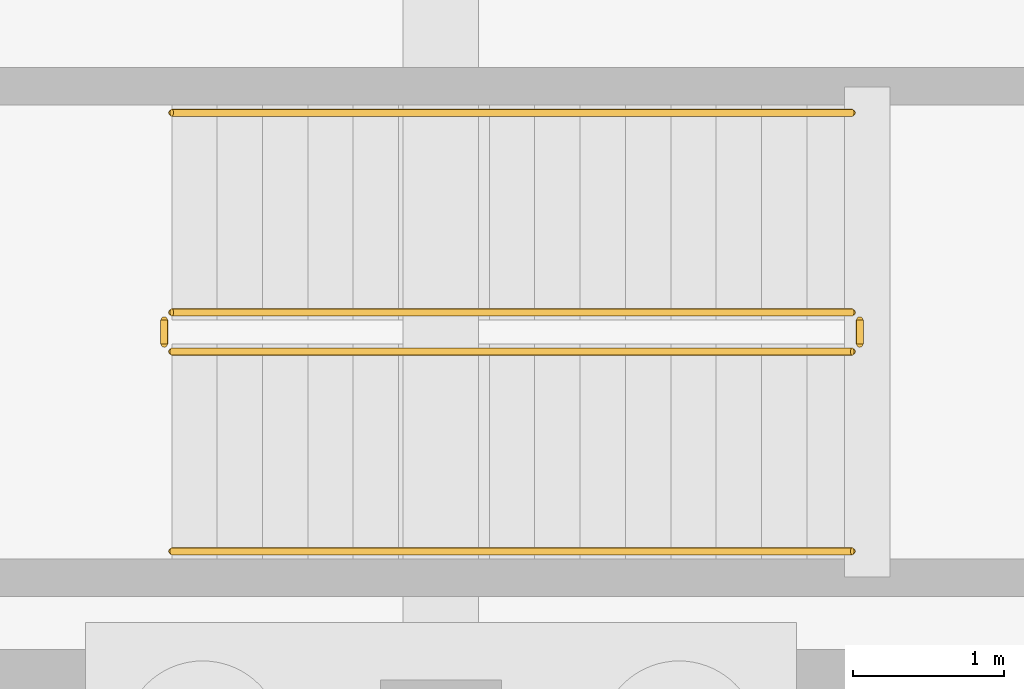
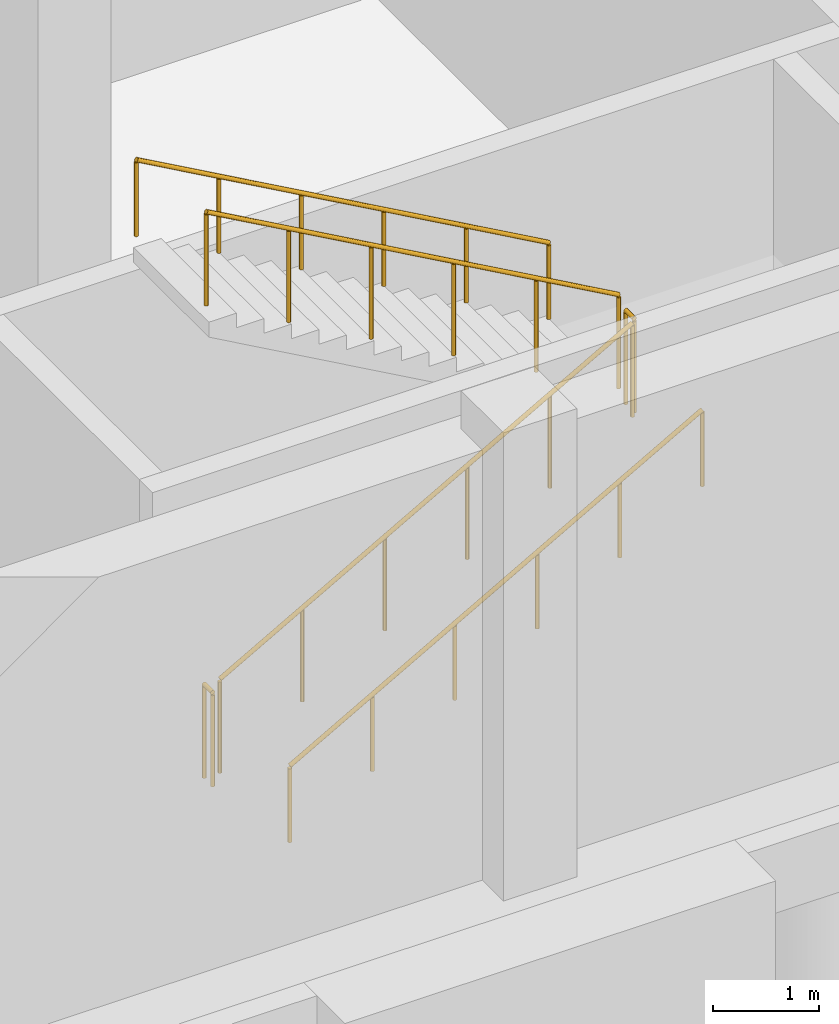
# One storey, part 19 of 23: 6 railings.
"""IFC4 building model written with IfcOpenShell, lengths in metres."""

from ifc_helpers import new_model, si_unit, direction, frame, origin, origin_2d, place, context, subcontext, project, spatial, circle, extrude, material, layer, layer_set, type_object, element, save


model = new_model("IFC4")

# Units and contexts
model_context = context("Model", 3, precision=1e-05, world=origin(), true_north=direction((0.0, 1.0)))
body_context = subcontext(model_context, "Body", "Model", "MODEL_VIEW")
ifc_project = project(units=[si_unit("LENGTHUNIT", "METRE"), si_unit("AREAUNIT", "SQUARE_METRE"), si_unit("VOLUMEUNIT", "CUBIC_METRE"), si_unit("PLANEANGLEUNIT", "RADIAN"), si_unit("MASSUNIT", "GRAM", prefix="KILO")], contexts=[model_context])

# Site, building, storey
site_placement = place(None, origin())
site = spatial("IfcSite", under=ifc_project, at=site_placement, CompositionType="ELEMENT")
building_placement = place(site_placement, origin())
building = spatial("IfcBuilding", under=site, at=building_placement, Name="Dornvale Research Institute", CompositionType="ELEMENT")
storey_placement = place(building_placement, frame((0.0, 0.0, -5.39990234375)))
storey = spatial("IfcBuildingStorey", under=building, at=storey_placement, Name="B1", CompositionType="ELEMENT", Elevation=-5.39990234375)

# Railings
ifc_material_1 = material(Name="Galvanized Painted Tubular Steel Stair Rail", Category="steel")
ifc_layer_1 = layer(ifc_material_1, 0.050048828125)
ifc_layer_set_1 = layer_set([ifc_layer_1], Name="Galvanized Painted Tubular Steel Stair Rail")
railing_type_1 = type_object("IfcRailingType", Name="Railing_Stair_Guard_1100", PredefinedType="GUARDRAIL", material=ifc_layer_set_1)
railing_1_placement = place(storey_placement, frame((169.820068359375, 2.570068359375, 0.168701171875)))
element("IfcRailing", 1, at=railing_1_placement, inside=storey, type_object=railing_type_1, Name="B1 ST-6 stair guard 1", PredefinedType="GUARDRAIL", context=body_context, shape_type="SweptSolid", body=[
    extrude(circle(Radius=0.02392578125, at=origin_2d()), frame((0.0, 0.0, 1.076171875), z_axis=(0.871575537125, 0.0, 0.490261239633), x_axis=(0.0, 1.0, 0.0)), (0.0, 0.0, 1.0), 5.1630859375),
    extrude(circle(Radius=0.02099609375, at=origin_2d()), origin(), (0.0, 0.0, 1.0), 1.052001953125),
    extrude(circle(Radius=0.02099609375, at=origin_2d()), frame((0.89990234375, 0.0, 0.50634765625)), (0.0, 0.0, 1.0), 1.052001953125),
    extrude(circle(Radius=0.02099609375, at=origin_2d()), frame((1.800048828125, 0.0, 1.012451171875)), (0.0, 0.0, 1.0), 1.052001953125),
    extrude(circle(Radius=0.02099609375, at=origin_2d()), frame((2.699951171875, 0.0, 1.518798828125)), (0.0, 0.0, 1.0), 1.052001953125),
    extrude(circle(Radius=0.02099609375, at=origin_2d()), frame((3.60009765625, 0.0, 2.02490234375)), (0.0, 0.0, 1.0), 1.052001953125),
    extrude(circle(Radius=0.02099609375, at=origin_2d()), frame((4.5, 0.0, 2.53125)), (0.0, 0.0, 1.0), 1.052001953125),
])
railing_2_placement = place(storey_placement, frame((174.3701171875, 2.6201171875, 2.699951171875)))
element("IfcRailing", 2, at=railing_2_placement, inside=storey, type_object=railing_type_1, Name="B1 ST-6 stair guard 2", PredefinedType="GUARDRAIL", context=body_context, shape_type="SweptSolid", body=[
    extrude(circle(Radius=0.02392578125, at=origin_2d()), frame((0.0, 0.0, 1.076171875), z_axis=(0.0, 1.0, 0.0), x_axis=(-1.0, 0.0, 0.0)), (0.0, 0.0, 1.0), 0.159912109375),
    extrude(circle(Radius=0.02099609375, at=origin_2d()), origin(), (0.0, 0.0, 1.0), 1.052001953125),
    extrude(circle(Radius=0.02099609375, at=origin_2d()), frame((0.0, 0.159912109375, 0.0)), (0.0, 0.0, 1.0), 1.052001953125),
])
railing_3_placement = place(storey_placement, frame((174.320068359375, 2.830078125, 2.86865234375)))
element("IfcRailing", 3, at=railing_3_placement, inside=storey, type_object=railing_type_1, Name="B1 ST-6 stair guard 3", PredefinedType="GUARDRAIL", context=body_context, shape_type="SweptSolid", body=[
    extrude(circle(Radius=0.02392578125, at=origin_2d()), frame((0.0, 0.0, 1.076171875), z_axis=(-0.871575537125, 0.0, 0.490261239633), x_axis=(0.0, -1.0, 0.0)), (0.0, 0.0, 1.0), 5.1630859375),
    extrude(circle(Radius=0.02099609375, at=origin_2d()), origin(), (0.0, 0.0, 1.0), 1.052001953125),
    extrude(circle(Radius=0.02099609375, at=origin_2d()), frame((-0.89990234375, 0.0, 0.50634765625)), (0.0, 0.0, 1.0), 1.052001953125),
    extrude(circle(Radius=0.02099609375, at=origin_2d()), frame((-1.800048828125, 0.0, 1.012451171875)), (0.0, 0.0, 1.0), 1.052001953125),
    extrude(circle(Radius=0.02099609375, at=origin_2d()), frame((-2.699951171875, 0.0, 1.518798828125)), (0.0, 0.0, 1.0), 1.052001953125),
    extrude(circle(Radius=0.02099609375, at=origin_2d()), frame((-3.60009765625, 0.0, 2.02490234375)), (0.0, 0.0, 1.0), 1.052001953125),
    extrude(circle(Radius=0.02099609375, at=origin_2d()), frame((-4.5, 0.0, 2.53125)), (0.0, 0.0, 1.0), 1.052001953125),
])
railing_4_placement = place(storey_placement, frame((169.77001953125, 2.6201171875, 0.0)))
element("IfcRailing", 4, at=railing_4_placement, inside=storey, type_object=railing_type_1, Name="B1 ST-6 stair guard 4", PredefinedType="GUARDRAIL", context=body_context, shape_type="SweptSolid", body=[
    extrude(circle(Radius=0.02392578125, at=origin_2d()), frame((0.0, 0.0, 1.076171875), z_axis=(0.0, 1.0, 0.0), x_axis=(-1.0, 0.0, 0.0)), (0.0, 0.0, 1.0), 0.159912109375),
    extrude(circle(Radius=0.02099609375, at=origin_2d()), origin(), (0.0, 0.0, 1.0), 1.052001953125),
    extrude(circle(Radius=0.02099609375, at=origin_2d()), frame((0.0, 0.159912109375, 0.0)), (0.0, 0.0, 1.0), 1.052001953125),
])
ifc_material_2 = material(Name="Galvanized Painted Tubular Steel Stair Rail", Category="steel")
ifc_layer_2 = layer(ifc_material_2, 0.044921875)
ifc_layer_set_2 = layer_set([ifc_layer_2], Name="Galvanized Painted Tubular Steel Stair Rail")
railing_type_2 = type_object("IfcRailingType", Name="Railing_Stair_Handrail_900", PredefinedType="HANDRAIL", material=ifc_layer_set_2)
railing_5_placement = place(storey_placement, frame((169.820068359375, 1.25, 0.168701171875)))
element("IfcRailing", 5, at=railing_5_placement, inside=storey, type_object=railing_type_2, Name="B1 ST-6 stair handrail 1", PredefinedType="HANDRAIL", context=body_context, shape_type="SweptSolid", body=[
    extrude(circle(Radius=0.02392578125, at=origin_2d()), frame((0.0, 0.0, 0.8759765625), z_axis=(0.871575537125, 0.0, 0.490261239633), x_axis=(0.0, 1.0, 0.0)), (0.0, 0.0, 1.0), 5.1630859375),
    extrude(circle(Radius=0.02099609375, at=origin_2d()), origin(), (0.0, 0.0, 1.0), 0.851806640625),
    extrude(circle(Radius=0.02099609375, at=origin_2d()), frame((0.89990234375, 0.0, 0.50634765625)), (0.0, 0.0, 1.0), 0.851806640625),
    extrude(circle(Radius=0.02099609375, at=origin_2d()), frame((1.800048828125, 0.0, 1.012451171875)), (0.0, 0.0, 1.0), 0.851806640625),
    extrude(circle(Radius=0.02099609375, at=origin_2d()), frame((2.699951171875, 0.0, 1.518798828125)), (0.0, 0.0, 1.0), 0.851806640625),
    extrude(circle(Radius=0.02099609375, at=origin_2d()), frame((3.60009765625, 0.0, 2.02490234375)), (0.0, 0.0, 1.0), 0.851806640625),
    extrude(circle(Radius=0.02099609375, at=origin_2d()), frame((4.5, 0.0, 2.53125)), (0.0, 0.0, 1.0), 0.851806640625),
])
railing_6_placement = place(storey_placement, frame((174.320068359375, 4.14990234375, 2.86865234375)))
element("IfcRailing", 6, at=railing_6_placement, inside=storey, type_object=railing_type_2, Name="B1 ST-6 stair handrail 2", PredefinedType="HANDRAIL", context=body_context, shape_type="SweptSolid", body=[
    extrude(circle(Radius=0.02392578125, at=origin_2d()), frame((0.0, 0.0, 0.8759765625), z_axis=(-0.871575537125, 0.0, 0.490261239633), x_axis=(0.0, -1.0, 0.0)), (0.0, 0.0, 1.0), 5.1630859375),
    extrude(circle(Radius=0.02099609375, at=origin_2d()), origin(), (0.0, 0.0, 1.0), 0.851806640625),
    extrude(circle(Radius=0.02099609375, at=origin_2d()), frame((-0.89990234375, 0.0, 0.50634765625)), (0.0, 0.0, 1.0), 0.851806640625),
    extrude(circle(Radius=0.02099609375, at=origin_2d()), frame((-1.800048828125, 0.0, 1.012451171875)), (0.0, 0.0, 1.0), 0.851806640625),
    extrude(circle(Radius=0.02099609375, at=origin_2d()), frame((-2.699951171875, 0.0, 1.518798828125)), (0.0, 0.0, 1.0), 0.851806640625),
    extrude(circle(Radius=0.02099609375, at=origin_2d()), frame((-3.60009765625, 0.0, 2.02490234375)), (0.0, 0.0, 1.0), 0.851806640625),
    extrude(circle(Radius=0.02099609375, at=origin_2d()), frame((-4.5, 0.0, 2.53125)), (0.0, 0.0, 1.0), 0.851806640625),
])

save(model, "model.ifc")
